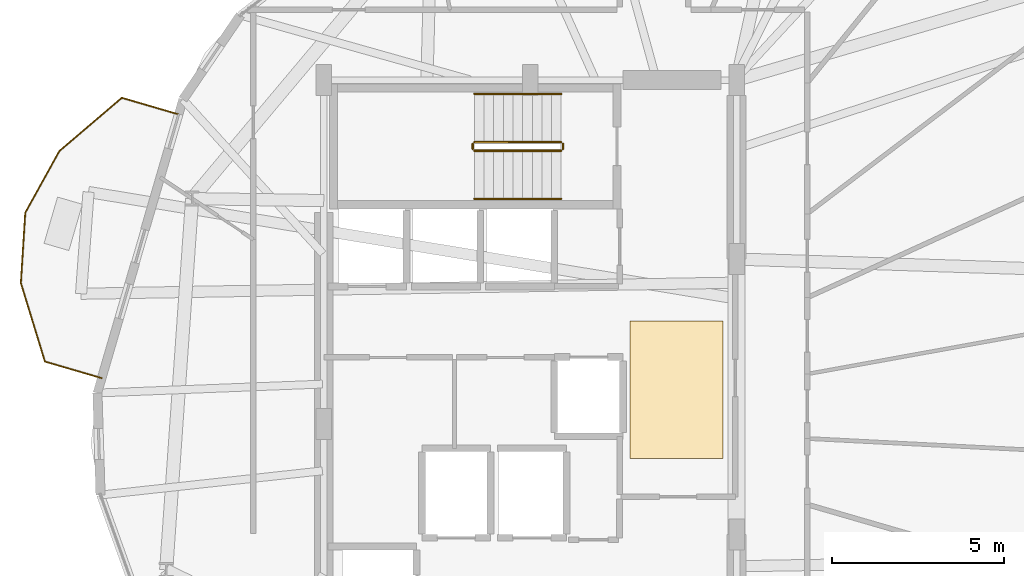
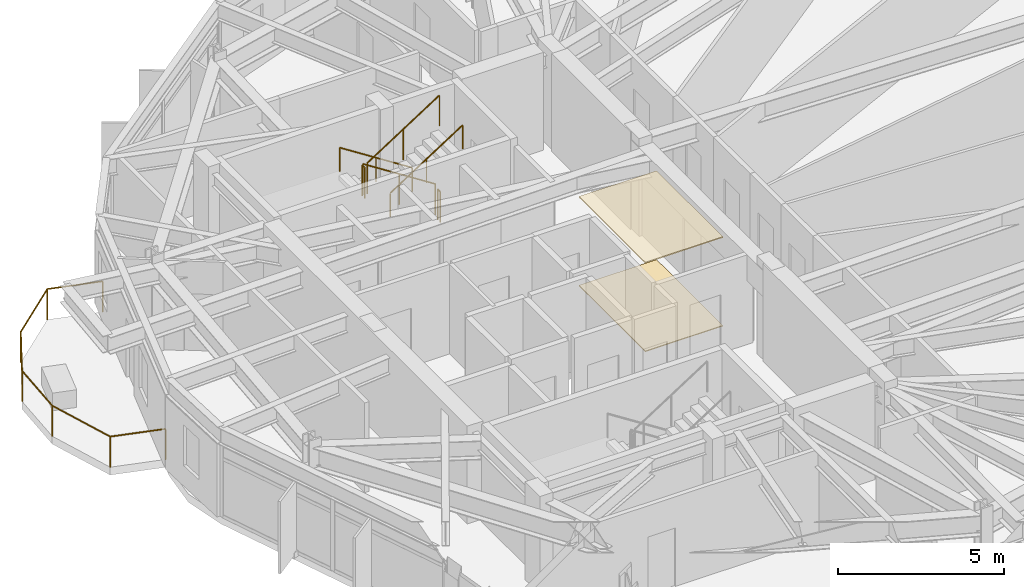
# One storey, part 22 of 23: 7 railings, 2 coverings.
"""IFC4 building model written with IfcOpenShell, lengths in metres."""

from ifc_helpers import new_model, si_unit, direction, frame, origin, origin_2d, place, context, subcontext, project, spatial, polyline, circle, outline, extrude, material, layer, layer_set, type_object, element, save


model = new_model("IFC4")

# Units and contexts
model_context = context("Model", 3, precision=1e-05, world=origin(), true_north=direction((0.0, 1.0)))
body_context = subcontext(model_context, "Body", "Model", "MODEL_VIEW")
ifc_project = project(units=[si_unit("LENGTHUNIT", "METRE"), si_unit("AREAUNIT", "SQUARE_METRE"), si_unit("VOLUMEUNIT", "CUBIC_METRE"), si_unit("PLANEANGLEUNIT", "RADIAN"), si_unit("MASSUNIT", "GRAM", prefix="KILO")], contexts=[model_context])

# Site, building, storey
site_placement = place(None, origin())
site = spatial("IfcSite", under=ifc_project, at=site_placement, CompositionType="ELEMENT")
building_placement = place(site_placement, origin())
building = spatial("IfcBuilding", under=site, at=building_placement, Name="Soratama Intermodal Tower", CompositionType="ELEMENT")
storey_placement = place(building_placement, frame((0.0, 0.0, 171.39990234375)))
storey = spatial("IfcBuildingStorey", under=building, at=storey_placement, Name="L42", CompositionType="ELEMENT", Elevation=171.39990234375)

# Coverings
ifc_material_1 = material(Name="Perforated mineral acoustic ceiling", Category="concrete")
ifc_layer_1 = layer(ifc_material_1, 0.0400390625)
ifc_layer_set_1 = layer_set([ifc_layer_1], Name="Perforated mineral acoustic ceiling")
covering_type_1 = type_object("IfcCoveringType", Name="CV-CEIL-ACOUSTIC", PredefinedType="CEILING", material=ifc_layer_set_1)
covering_1_placement = place(storey_placement, frame((0.0, 0.0, 3.260009765625)))
element("IfcCovering", 1, at=covering_1_placement, inside=storey, type_object=covering_type_1, Name="L42 Acoustic Ceiling", PredefinedType="CEILING", context=body_context, shape_type="SweptSolid", body=[
    extrude(outline(polyline([(41.5, 24.0), (44.199951171875, 24.0), (44.199951171875, 28.0), (41.5, 28.0), (41.5, 24.0)])), origin(), (0.0, 0.0, 1.0), 0.0400390625),
])
ifc_material_2 = material(Name="Polished Andean stone terrazzo flooring", Category="masonry")
ifc_layer_2 = layer(ifc_material_2, 0.030029296875)
ifc_layer_set_2 = layer_set([ifc_layer_2], Name="Polished Andean stone terrazzo flooring")
covering_type_2 = type_object("IfcCoveringType", Name="CV-FLOR-TERRAZZO", PredefinedType="FLOORING", material=ifc_layer_set_2)
covering_2_placement = place(storey_placement, origin())
element("IfcCovering", 2, at=covering_2_placement, inside=storey, type_object=covering_type_2, Name="L42 Lobby Terrazzo Flooring", PredefinedType="FLOORING", context=body_context, shape_type="SweptSolid", body=[
    extrude(outline(polyline([(41.5, 24.0), (44.199951171875, 24.0), (44.199951171875, 28.0), (41.5, 28.0), (41.5, 24.0)])), origin(), (0.0, 0.0, 1.0), 0.030029296875),
])

# Railings
ifc_material_3 = material(Name="Laminated glass and stainless steel balustrade", Category="steel")
railing_type_1 = type_object("IfcRailingType", Name="RL-BAL-1150", PredefinedType="BALUSTRADE", material=ifc_material_3)
railing_1_placement = place(storey_placement, frame((26.1455078125, 26.33935546875, 0.0)))
element("IfcRailing", 3, at=railing_1_placement, inside=storey, type_object=railing_type_1, Name="L42 Balcony Balustrade 2", PredefinedType="BALUSTRADE", context=body_context, shape_type="SweptSolid", body=[
    extrude(circle(Radius=0.02392578125, at=origin_2d()), frame((0.0, 0.0, 1.1259765625), z_axis=(-0.959982510349, 0.280059957551, 0.0), x_axis=(-0.280059957551, -0.959982510349, 0.0)), (0.0, 0.0, 1.0), 1.719970703125),
    extrude(circle(Radius=0.02392578125, at=origin_2d()), frame((-1.651123046875, 0.481689453125, 1.1259765625), z_axis=(-0.292828700452, 0.956164918929, 0.0), x_axis=(-0.956164918929, -0.292828700452, 0.0)), (0.0, 0.0, 1.0), 2.388671875),
    extrude(circle(Radius=0.02392578125, at=origin_2d()), frame((-2.3505859375, 2.765625, 1.1259765625), z_axis=(0.062630803388, 0.998036764086, 0.0), x_axis=(-0.998036764086, 0.062630803388, 0.0)), (0.0, 0.0, 1.0), 2.04638671875),
    extrude(circle(Radius=0.02392578125, at=origin_2d()), frame((-2.222412109375, 4.80810546875, 1.1259765625), z_axis=(0.483767880207, 0.875196342589, 0.0), x_axis=(-0.875196342589, 0.483767880207, 0.0)), (0.0, 0.0, 1.0), 2.04638671875),
    extrude(circle(Radius=0.02392578125, at=origin_2d()), frame((-1.232421875, 6.59912109375, 1.1259765625), z_axis=(0.760942291578, 0.648819565741, 0.0), x_axis=(-0.648819565741, 0.760942291578, 0.0)), (0.0, 0.0, 1.0), 2.388671875),
    extrude(circle(Radius=0.02392578125, at=origin_2d()), frame((0.585205078125, 8.14892578125, 1.1259765625), z_axis=(0.959982510349, -0.280059957551, 0.0), x_axis=(0.280059957551, 0.959982510349, 0.0)), (0.0, 0.0, 1.0), 1.719970703125),
    extrude(circle(Radius=0.02099609375, at=origin_2d()), origin(), (0.0, 0.0, 1.0), 1.101806640625),
    extrude(circle(Radius=0.02099609375, at=origin_2d()), frame((-1.651123046875, 0.481689453125, 0.0)), (0.0, 0.0, 1.0), 1.101806640625),
    extrude(circle(Radius=0.02099609375, at=origin_2d()), frame((-2.3505859375, 2.765625, 0.0)), (0.0, 0.0, 1.0), 1.101806640625),
    extrude(circle(Radius=0.02099609375, at=origin_2d()), frame((-2.222412109375, 4.80810546875, 0.0)), (0.0, 0.0, 1.0), 1.101806640625),
    extrude(circle(Radius=0.02099609375, at=origin_2d()), frame((-1.232421875, 6.59912109375, 0.0)), (0.0, 0.0, 1.0), 1.101806640625),
    extrude(circle(Radius=0.02099609375, at=origin_2d()), frame((0.585205078125, 8.14892578125, 0.0)), (0.0, 0.0, 1.0), 1.101806640625),
    extrude(circle(Radius=0.02099609375, at=origin_2d()), frame((2.236328125, 7.667236328125, 0.0)), (0.0, 0.0, 1.0), 1.101806640625),
])
ifc_material_4 = material(Name="Painted steel stair guardrail", Category="steel")
railing_type_2 = type_object("IfcRailingType", Name="RL-STAIR-GUARD", PredefinedType="GUARDRAIL", material=ifc_material_4)
railing_2_placement = place(storey_placement, frame((39.5, 33.199951171875, 0.18017578125)))
element("IfcRailing", 4, at=railing_2_placement, inside=storey, type_object=railing_type_2, Name="L42 ST-2 stair guard 1", PredefinedType="GUARDRAIL", context=body_context, shape_type="SweptSolid", body=[
    extrude(circle(Radius=0.02392578125, at=origin_2d()), frame((0.0, 0.0, 1.1259765625), z_axis=(-0.841199657755, 0.0, 0.540724639528), x_axis=(0.0, -1.0, 0.0)), (0.0, 0.0, 1.0), 2.995849609375),
    extrude(circle(Radius=0.02099609375, at=origin_2d()), origin(), (0.0, 0.0, 1.0), 1.101806640625),
    extrude(circle(Radius=0.02099609375, at=origin_2d()), frame((-1.260009765625, 0.0, 0.81005859375)), (0.0, 0.0, 1.0), 1.101806640625),
    extrude(circle(Radius=0.02099609375, at=origin_2d()), frame((-2.52001953125, 0.0, 1.619873046875)), (0.0, 0.0, 1.0), 1.101806640625),
])
railing_3_placement = place(storey_placement, frame((36.929931640625, 33.14990234375, 1.800048828125)))
element("IfcRailing", 5, at=railing_3_placement, inside=storey, type_object=railing_type_2, Name="L42 ST-2 stair guard 2", PredefinedType="GUARDRAIL", context=body_context, shape_type="SweptSolid", body=[
    extrude(circle(Radius=0.02392578125, at=origin_2d()), frame((0.0, 0.0, 1.1259765625), z_axis=(0.0, -1.0, 0.0), x_axis=(1.0, 0.0, 0.0)), (0.0, 0.0, 1.0), 0.14990234375),
    extrude(circle(Radius=0.02099609375, at=origin_2d()), origin(), (0.0, 0.0, 1.0), 1.101806640625),
    extrude(circle(Radius=0.02099609375, at=origin_2d()), frame((0.0, -0.14990234375, 0.0)), (0.0, 0.0, 1.0), 1.101806640625),
])
railing_4_placement = place(storey_placement, frame((36.97998046875, 32.949951171875, 1.97998046875)))
element("IfcRailing", 6, at=railing_4_placement, inside=storey, type_object=railing_type_2, Name="L42 ST-2 stair guard 3", PredefinedType="GUARDRAIL", context=body_context, shape_type="SweptSolid", body=[
    extrude(circle(Radius=0.02392578125, at=origin_2d()), frame((0.0, 0.0, 1.1259765625), z_axis=(0.841162588446, 0.0, 0.540782303519), x_axis=(0.0, 1.0, 0.0)), (0.0, 0.0, 1.0), 2.995849609375),
    extrude(circle(Radius=0.02099609375, at=origin_2d()), origin(), (0.0, 0.0, 1.0), 1.101806640625),
    extrude(circle(Radius=0.02099609375, at=origin_2d()), frame((1.260009765625, 0.0, 0.81005859375)), (0.0, 0.0, 1.0), 1.101806640625),
    extrude(circle(Radius=0.02099609375, at=origin_2d()), frame((2.52001953125, 0.0, 1.6201171875)), (0.0, 0.0, 1.0), 1.101806640625),
])
railing_5_placement = place(storey_placement, frame((39.550048828125, 33.14990234375, 0.0)))
element("IfcRailing", 7, at=railing_5_placement, inside=storey, type_object=railing_type_2, Name="L42 ST-2 stair guard 4", PredefinedType="GUARDRAIL", context=body_context, shape_type="SweptSolid", body=[
    extrude(circle(Radius=0.02392578125, at=origin_2d()), frame((0.0, 0.0, 1.1259765625), z_axis=(0.0, -1.0, 0.0), x_axis=(1.0, 0.0, 0.0)), (0.0, 0.0, 1.0), 0.14990234375),
    extrude(circle(Radius=0.02099609375, at=origin_2d()), origin(), (0.0, 0.0, 1.0), 1.101806640625),
    extrude(circle(Radius=0.02099609375, at=origin_2d()), frame((0.0, -0.14990234375, 0.0)), (0.0, 0.0, 1.0), 1.101806640625),
])
ifc_material_5 = material(Name="Brushed stainless steel handrail", Category="steel")
railing_type_3 = type_object("IfcRailingType", Name="RL-STAIR-HAND", PredefinedType="HANDRAIL", material=ifc_material_5)
railing_6_placement = place(storey_placement, frame((39.5, 34.60009765625, 0.18017578125)))
element("IfcRailing", 8, at=railing_6_placement, inside=storey, type_object=railing_type_3, Name="L42 ST-2 stair handrail 1", PredefinedType="HANDRAIL", context=body_context, shape_type="SweptSolid", body=[
    extrude(circle(Radius=0.02392578125, at=origin_2d()), frame((0.0, 0.0, 0.8759765625), z_axis=(-0.841199657755, 0.0, 0.540724639528), x_axis=(0.0, -1.0, 0.0)), (0.0, 0.0, 1.0), 2.995849609375),
    extrude(circle(Radius=0.02099609375, at=origin_2d()), origin(), (0.0, 0.0, 1.0), 0.851806640625),
    extrude(circle(Radius=0.02099609375, at=origin_2d()), frame((-1.260009765625, 0.0, 0.81005859375)), (0.0, 0.0, 1.0), 0.851806640625),
    extrude(circle(Radius=0.02099609375, at=origin_2d()), frame((-2.52001953125, 0.0, 1.619873046875)), (0.0, 0.0, 1.0), 0.851806640625),
])
railing_7_placement = place(storey_placement, frame((36.97998046875, 31.550048828125, 1.97998046875)))
element("IfcRailing", 9, at=railing_7_placement, inside=storey, type_object=railing_type_3, Name="L42 ST-2 stair handrail 2", PredefinedType="HANDRAIL", context=body_context, shape_type="SweptSolid", body=[
    extrude(circle(Radius=0.02392578125, at=origin_2d()), frame((0.0, 0.0, 0.8759765625), z_axis=(0.841162588446, 0.0, 0.540782303519), x_axis=(0.0, 1.0, 0.0)), (0.0, 0.0, 1.0), 2.995849609375),
    extrude(circle(Radius=0.02099609375, at=origin_2d()), origin(), (0.0, 0.0, 1.0), 0.851806640625),
    extrude(circle(Radius=0.02099609375, at=origin_2d()), frame((1.260009765625, 0.0, 0.81005859375)), (0.0, 0.0, 1.0), 0.851806640625),
    extrude(circle(Radius=0.02099609375, at=origin_2d()), frame((2.52001953125, 0.0, 1.6201171875)), (0.0, 0.0, 1.0), 0.851806640625),
])

save(model, "model.ifc")
